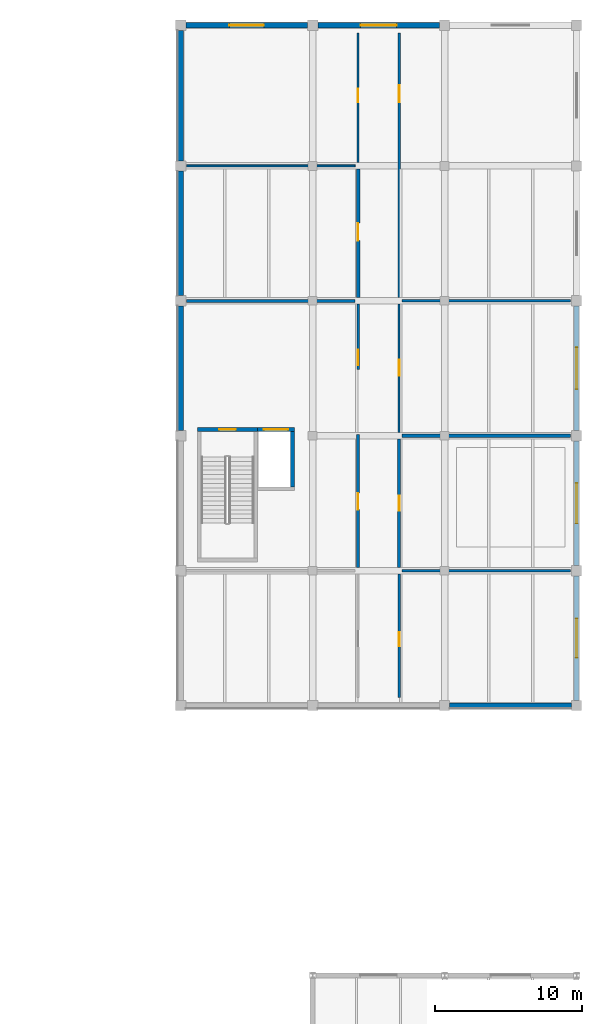
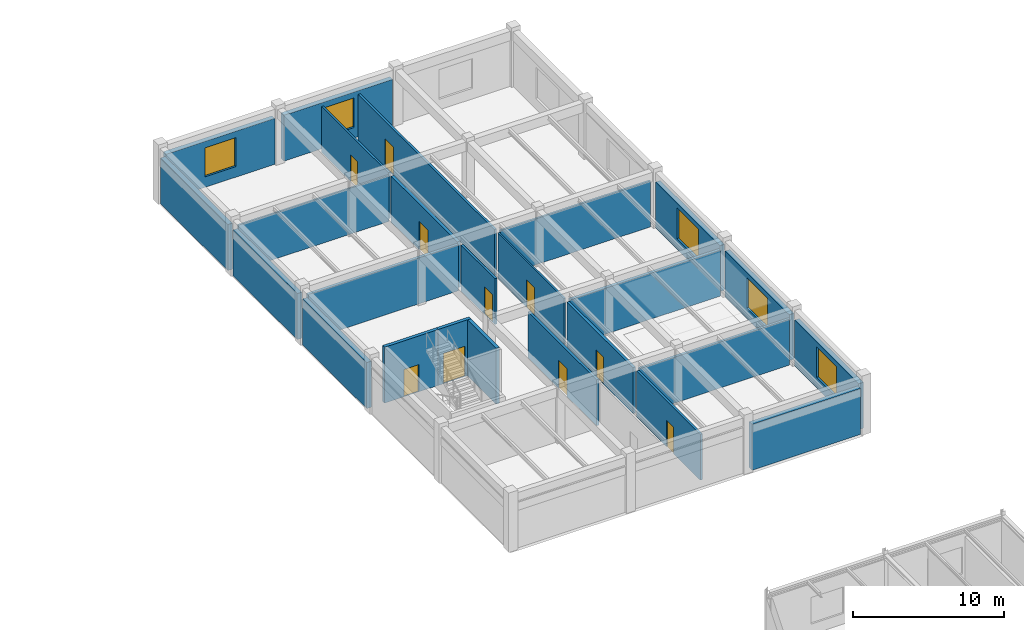
# One storey, part 51 of 61: 25 walls, 10 doors, 5 windows, 15 openings.
"""IFC4 building model written with IfcOpenShell, lengths in metres."""

from ifc_helpers import new_model, si_unit, direction, frame, frame_2d, origin, place, context, subcontext, project, spatial, rectangle, extrude, material, layer, layer_set, type_object, element, fill, save


model = new_model("IFC4")

# Units and contexts
model_context = context("Model", 3, precision=1e-05, world=origin(), true_north=direction((0.0, 1.0)))
body_context = subcontext(model_context, "Body", "Model", "MODEL_VIEW")
ifc_project = project(units=[si_unit("LENGTHUNIT", "METRE"), si_unit("AREAUNIT", "SQUARE_METRE"), si_unit("VOLUMEUNIT", "CUBIC_METRE"), si_unit("PLANEANGLEUNIT", "RADIAN"), si_unit("MASSUNIT", "GRAM", prefix="KILO")], contexts=[model_context])

# Site, building, storey
site_placement = place(None, origin())
site = spatial("IfcSite", under=ifc_project, at=site_placement, CompositionType="ELEMENT")
building_placement = place(site_placement, origin())
building = spatial("IfcBuilding", under=site, at=building_placement, Name="Bozkorgan Art Gallery", CompositionType="ELEMENT")
storey_placement = place(building_placement, frame((0.0, 0.0, 10.199951171875)))
storey = spatial("IfcBuildingStorey", under=building, at=storey_placement, Name="L02", CompositionType="ELEMENT", Elevation=10.199951171875)

# Wall, opening, door
ifc_material_1 = material(Name="Concrete C40/50", Category="concrete")
ifc_layer_1 = layer(ifc_material_1, 0.25, Name="Concrete C40/50")
ifc_layer_set_1 = layer_set([ifc_layer_1], Name="Concrete C40/50")
wall_type_1 = type_object("IfcWallType", Name="IWALL-CW-51", PredefinedType="SHEAR", material=ifc_layer_set_1)
wall_1_placement = place(storey_placement, frame((138.14990234375, 84.824951171875, 0.0), z_axis=(0.0, 0.0, 1.0), x_axis=(1.0, 0.0, 0.0)))
wall_1 = element("IfcWall", 1, at=wall_1_placement, inside=storey, type_object=wall_type_1, Name="CORE3 L02 stair core north shear wall", PredefinedType="SHEAR", context=body_context, shape_type="SweptSolid", body=[
    extrude(rectangle(XDim=4.10009765625, YDim=0.25, at=frame_2d((2.050048828125, 0.0))), origin(), (0.0, 0.0, 1.0), 4.52001953125),
])
opening_1_placement = place(wall_1_placement, frame((2.625, 0.0, 0.0), z_axis=(0.0, 0.0, 1.0), x_axis=(-1.0, 0.0, 0.0)))
opening_1 = element("IfcOpeningElement", 2, at=opening_1_placement, cuts=wall_1, Name="Opening SD-41", PredefinedType="OPENING", context=body_context, shape_type="SweptSolid", body=[
    extrude(rectangle(XDim=1.14990234375, YDim=2.199951171875, at=frame_2d((0.574951171875, 1.10009765625))), frame((0.0, 0.135009765625, 0.0), z_axis=(0.0, -1.0, 0.0), x_axis=(1.0, 0.0, 0.0)), (0.0, 0.0, 1.0), 0.27001953125),
])
ifc_material_2 = material(Name="Steel S355J2", Category="steel")
door_type_1 = type_object("IfcDoorType", Name="IDOOR-SD-41", OperationType="NOTDEFINED", PredefinedType="DOOR", material=ifc_material_2)
door_1_placement = place(opening_1_placement, origin())
door_1 = element("IfcDoor", 3, at=door_1_placement, inside=storey, type_object=door_type_1, Name="ST3 L02 Fire Stair Door", OperationType="SINGLE_SWING_RIGHT", OverallHeight=2.199951171875, OverallWidth=1.14990234375, PredefinedType="DOOR", context=body_context, shape_type="SweptSolid", body=[
    extrude(rectangle(XDim=1.14990234375, YDim=2.199951171875, at=frame_2d((0.574951171875, 1.10009765625))), frame((0.0, 0.02490234375, 0.0), z_axis=(0.0, -1.0, 0.0), x_axis=(1.0, 0.0, 0.0)), (0.0, 0.0, 1.0), 0.050048828125),
])
fill(opening_1, door_1)

wall_2_placement = place(storey_placement, frame((142.25, 84.824951171875, 0.0), z_axis=(0.0, 0.0, 1.0), x_axis=(1.0, 0.0, 0.0)))
wall_2 = element("IfcWall", 4, at=wall_2_placement, inside=storey, type_object=wall_type_1, Name="GL1 L02 shaft front shear wall", PredefinedType="SHEAR", context=body_context, shape_type="SweptSolid", body=[
    extrude(rectangle(XDim=2.5, YDim=0.25, at=frame_2d((1.25, 0.0))), origin(), (0.0, 0.0, 1.0), 4.52001953125),
])
opening_2_placement = place(wall_2_placement, frame((0.425048828125, 0.0, 0.0)))
opening_2 = element("IfcOpeningElement", 5, at=opening_2_placement, cuts=wall_2, Name="Opening LD-87", PredefinedType="OPENING", context=body_context, shape_type="SweptSolid", body=[
    extrude(rectangle(XDim=1.64990234375, YDim=2.449951171875, at=frame_2d((0.824951171875, 1.22509765625))), frame((0.0, 0.135009765625, 0.0), z_axis=(0.0, -1.0, 0.0), x_axis=(1.0, 0.0, 0.0)), (0.0, 0.0, 1.0), 0.27001953125),
])
door_type_2 = type_object("IfcDoorType", Name="IDOOR-LD-87", OperationType="NOTDEFINED", PredefinedType="DOOR", material=ifc_material_2)
door_2_placement = place(opening_2_placement, origin())
door_2 = element("IfcDoor", 6, at=door_2_placement, inside=storey, type_object=door_type_2, Name="LD-GL1-L02 Lift Landing Door", OperationType="SLIDING_TO_LEFT", OverallHeight=2.449951171875, OverallWidth=1.64990234375, PredefinedType="DOOR", context=body_context, shape_type="SweptSolid", body=[
    extrude(rectangle(XDim=1.64990234375, YDim=2.449951171875, at=frame_2d((0.824951171875, 1.22509765625))), frame((0.0, 0.02490234375, 0.0), z_axis=(0.0, -1.0, 0.0), x_axis=(1.0, 0.0, 0.0)), (0.0, 0.0, 1.0), 0.050048828125),
])
fill(opening_2, door_2)

# Wall
wall_3_placement = place(storey_placement, frame((144.625, 80.89990234375, 0.0), z_axis=(0.0, 0.0, 1.0), x_axis=(0.0, 1.0, 0.0)))
element("IfcWall", 7, at=wall_3_placement, inside=storey, type_object=wall_type_1, Name="GL1 L02 shaft E shear wall", PredefinedType="SHEAR", context=body_context, shape_type="SweptSolid", body=[
    extrude(rectangle(XDim=3.800048828125, YDim=0.25, at=frame_2d((1.89990234375, 0.0))), origin(), (0.0, 0.0, 1.0), 4.52001953125),
])

# Wall, opening, door
ifc_material_3 = material(Name="Acoustic Gypsum & Mineral Wool Partition")
ifc_layer_2 = layer(ifc_material_3, 0.22998046875, Name="Acoustic Gypsum & Mineral Wool Partition")
ifc_layer_set_2 = layer_set([ifc_layer_2], Name="Acoustic Gypsum & Mineral Wool Partition")
wall_type_2 = type_object("IfcWallType", Name="IWALL-PR-08", PredefinedType="PARTITIONING", material=ifc_layer_set_2)
wall_4_placement = place(storey_placement, frame((149.10009765625, 93.820068359375, 0.0), z_axis=(0.0, 0.0, 1.0), x_axis=(0.0, 1.0, 0.0)))
wall_4 = element("IfcWall", 8, at=wall_4_placement, inside=storey, type_object=wall_type_2, Name="V5 L02 acoustic partition wall 317", PredefinedType="PARTITIONING", context=body_context, shape_type="SweptSolid", body=[
    extrude(rectangle(XDim=8.760009765625, YDim=0.22998046875, at=frame_2d((4.3798828125, 0.0))), origin(), (0.0, 0.0, 1.0), 3.715087890625),
])
opening_3_placement = place(wall_4_placement, frame((5.079833984375, 0.0, 0.0), z_axis=(0.0, 0.0, 1.0), x_axis=(-1.0, 0.0, 0.0)))
opening_3 = element("IfcOpeningElement", 9, at=opening_3_placement, cuts=wall_4, Name="Opening FD-05", PredefinedType="OPENING", context=body_context, shape_type="SweptSolid", body=[
    extrude(rectangle(XDim=1.199951171875, YDim=2.300048828125, at=frame_2d((0.60009765625, 1.14990234375))), frame((0.0, 0.125, 0.0), z_axis=(0.0, -1.0, 0.0), x_axis=(1.0, 0.0, 0.0)), (0.0, 0.0, 1.0), 0.25),
])
ifc_material_4 = material(Name="Oiled European Oak Joinery")
door_type_3 = type_object("IfcDoorType", Name="IDOOR-FD-05", OperationType="NOTDEFINED", PredefinedType="DOOR", material=ifc_material_4)
door_3_placement = place(opening_3_placement, origin())
door_3 = element("IfcDoor", 10, at=door_3_placement, inside=storey, type_object=door_type_3, Name="Preventive Conservation Lab Door", OperationType="SINGLE_SWING_RIGHT", OverallHeight=2.300048828125, OverallWidth=1.199951171875, PredefinedType="DOOR", context=body_context, shape_type="SweptSolid", body=[
    extrude(rectangle(XDim=1.199951171875, YDim=2.300048828125, at=frame_2d((0.60009765625, 1.14990234375))), frame((0.0, 0.02490234375, 0.0), z_axis=(0.0, -1.0, 0.0), x_axis=(1.0, 0.0, 0.0)), (0.0, 0.0, 1.0), 0.050048828125),
])
fill(opening_3, door_3)

ifc_layer_3 = layer(ifc_material_3, 0.2099609375, Name="Acoustic Gypsum & Mineral Wool Partition")
ifc_layer_set_3 = layer_set([ifc_layer_3], Name="Acoustic Gypsum & Mineral Wool Partition")
wall_type_3 = type_object("IfcWallType", Name="IWALL-PR-38", PredefinedType="PARTITIONING", material=ifc_layer_set_3)
wall_5_placement = place(storey_placement, frame((151.89990234375, 75.419921875, 0.0), z_axis=(0.0, 0.0, 1.0), x_axis=(0.0, 1.0, 0.0)))
wall_5 = element("IfcWall", 11, at=wall_5_placement, inside=storey, type_object=wall_type_3, Name="V5 L02 acoustic partition wall 322", PredefinedType="PARTITIONING", context=body_context, shape_type="SweptSolid", body=[
    extrude(rectangle(XDim=8.760009765625, YDim=0.2099609375, at=frame_2d((4.3798828125, 0.0))), origin(), (0.0, 0.0, 1.0), 3.715087890625),
])
opening_4_placement = place(wall_5_placement, frame((3.8798828125, 0.0, 0.0)))
opening_4 = element("IfcOpeningElement", 12, at=opening_4_placement, cuts=wall_5, Name="Opening FD-60", PredefinedType="OPENING", context=body_context, shape_type="SweptSolid", body=[
    extrude(rectangle(XDim=1.0, YDim=2.199951171875, at=frame_2d((0.5, 1.10009765625))), frame((0.0, 0.114990234375, 0.0), z_axis=(0.0, -1.0, 0.0), x_axis=(1.0, 0.0, 0.0)), (0.0, 0.0, 1.0), 0.22998046875),
])
door_type_4 = type_object("IfcDoorType", Name="IDOOR-FD-60", OperationType="NOTDEFINED", PredefinedType="DOOR", material=ifc_material_4)
door_4_placement = place(opening_4_placement, origin())
door_4 = element("IfcDoor", 13, at=door_4_placement, inside=storey, type_object=door_type_4, Name="Climate Art Store Door", OperationType="SINGLE_SWING_LEFT", OverallHeight=2.199951171875, OverallWidth=1.0, PredefinedType="DOOR", context=body_context, shape_type="SweptSolid", body=[
    extrude(rectangle(XDim=1.0, YDim=2.199951171875, at=frame_2d((0.5, 1.10009765625))), frame((0.0, 0.02490234375, 0.0), z_axis=(0.0, -1.0, 0.0), x_axis=(1.0, 0.0, 0.0)), (0.0, 0.0, 1.0), 0.050048828125),
])
fill(opening_4, door_4)

ifc_layer_4 = layer(ifc_material_3, 0.169921875, Name="Acoustic Gypsum & Mineral Wool Partition")
ifc_layer_set_4 = layer_set([ifc_layer_4], Name="Acoustic Gypsum & Mineral Wool Partition")
wall_type_4 = type_object("IfcWallType", Name="IWALL-PR-40", PredefinedType="PARTITIONING", material=ifc_layer_set_4)
wall_6_placement = place(storey_placement, frame((149.10009765625, 88.89990234375, 0.0), z_axis=(0.0, 0.0, 1.0), x_axis=(0.0, 1.0, 0.0)))
wall_6 = element("IfcWall", 14, at=wall_6_placement, inside=storey, type_object=wall_type_4, Name="V5 L02 acoustic partition wall 314", PredefinedType="PARTITIONING", context=body_context, shape_type="SweptSolid", body=[
    extrude(rectangle(XDim=4.47998046875, YDim=0.169921875, at=frame_2d((2.239990234375, 0.0))), origin(), (0.0, 0.0, 1.0), 3.715087890625),
])
opening_5_placement = place(wall_6_placement, frame((1.380126953125, 0.0, 0.0), z_axis=(0.0, 0.0, 1.0), x_axis=(-1.0, 0.0, 0.0)))
opening_5 = element("IfcOpeningElement", 15, at=opening_5_placement, cuts=wall_6, Name="Opening FD-44", PredefinedType="OPENING", context=body_context, shape_type="SweptSolid", body=[
    extrude(rectangle(XDim=1.080078125, YDim=2.239990234375, at=frame_2d((0.5400390625, 1.1201171875))), frame((0.0, 0.094970703125, 0.0), z_axis=(0.0, -1.0, 0.0), x_axis=(1.0, 0.0, 0.0)), (0.0, 0.0, 1.0), 0.18994140625),
])
door_type_5 = type_object("IfcDoorType", Name="IDOOR-FD-44", OperationType="NOTDEFINED", PredefinedType="DOOR", material=ifc_material_4)
door_5_placement = place(opening_5_placement, origin())
door_5 = element("IfcDoor", 16, at=door_5_placement, inside=storey, type_object=door_type_5, Name="Rolled Tapestry Art Store Door", OperationType="SINGLE_SWING_RIGHT", OverallHeight=2.239990234375, OverallWidth=1.080078125, PredefinedType="DOOR", context=body_context, shape_type="SweptSolid", body=[
    extrude(rectangle(XDim=1.080078125, YDim=2.239990234375, at=frame_2d((0.5400390625, 1.1201171875))), frame((0.0, 0.02490234375, 0.0), z_axis=(0.0, -1.0, 0.0), x_axis=(1.0, 0.0, 0.0)), (0.0, 0.0, 1.0), 0.050048828125),
])
fill(opening_5, door_5)

wall_7_placement = place(storey_placement, frame((151.89990234375, 66.5400390625, 0.0), z_axis=(0.0, 0.0, 1.0), x_axis=(0.0, 1.0, 0.0)))
wall_7 = element("IfcWall", 17, at=wall_7_placement, inside=storey, type_object=wall_type_4, Name="V5 L02 acoustic partition wall 320", PredefinedType="PARTITIONING", context=body_context, shape_type="SweptSolid", body=[
    extrude(rectangle(XDim=8.43994140625, YDim=0.169921875, at=frame_2d((4.219970703125, 0.0))), origin(), (0.0, 0.0, 1.0), 3.715087890625),
])
opening_6_placement = place(wall_7_placement, frame((3.518798828125, 0.0, 0.0)))
opening_6 = element("IfcOpeningElement", 18, at=opening_6_placement, cuts=wall_7, Name="Opening FD-92", PredefinedType="OPENING", context=body_context, shape_type="SweptSolid", body=[
    extrude(rectangle(XDim=0.949951171875, YDim=2.14990234375, at=frame_2d((0.47509765625, 1.074951171875))), frame((0.0, 0.094970703125, 0.0), z_axis=(0.0, -1.0, 0.0), x_axis=(1.0, 0.0, 0.0)), (0.0, 0.0, 1.0), 0.18994140625),
])
door_type_6 = type_object("IfcDoorType", Name="IDOOR-FD-92", OperationType="NOTDEFINED", PredefinedType="DOOR", material=ifc_material_4)
door_6_placement = place(opening_6_placement, origin())
door_6 = element("IfcDoor", 19, at=door_6_placement, inside=storey, type_object=door_type_6, Name="Collection Archive Room Door", OperationType="SINGLE_SWING_RIGHT", OverallHeight=2.14990234375, OverallWidth=0.949951171875, PredefinedType="DOOR", context=body_context, shape_type="SweptSolid", body=[
    extrude(rectangle(XDim=0.949951171875, YDim=2.14990234375, at=frame_2d((0.47509765625, 1.074951171875))), frame((0.0, 0.02490234375, 0.0), z_axis=(0.0, -1.0, 0.0), x_axis=(1.0, 0.0, 0.0)), (0.0, 0.0, 1.0), 0.050048828125),
])
fill(opening_6, door_6)

wall_8_placement = place(storey_placement, frame((151.89990234375, 93.820068359375, 0.0), z_axis=(0.0, 0.0, 1.0), x_axis=(0.0, 1.0, 0.0)))
wall_8 = element("IfcWall", 20, at=wall_8_placement, inside=storey, type_object=wall_type_4, Name="V5 L02 acoustic partition wall 326", PredefinedType="PARTITIONING", context=body_context, shape_type="SweptSolid", body=[
    extrude(rectangle(XDim=18.0400390625, YDim=0.169921875, at=frame_2d((9.02001953125, 0.0))), origin(), (0.0, 0.0, 1.0), 3.715087890625),
])
opening_7_placement = place(wall_8_placement, frame((13.331787109375, 0.0, 0.0)))
opening_7 = element("IfcOpeningElement", 21, at=opening_7_placement, cuts=wall_8, Name="Opening FD-03", PredefinedType="OPENING", context=body_context, shape_type="SweptSolid", body=[
    extrude(rectangle(XDim=1.159912109375, YDim=2.280029296875, at=frame_2d((0.580078125, 1.14013671875))), frame((0.0, 0.094970703125, 0.0), z_axis=(0.0, -1.0, 0.0), x_axis=(1.0, 0.0, 0.0)), (0.0, 0.0, 1.0), 0.18994140625),
])
door_type_7 = type_object("IfcDoorType", Name="IDOOR-FD-03", OperationType="NOTDEFINED", PredefinedType="DOOR", material=ifc_material_4)
door_7_placement = place(opening_7_placement, origin())
door_7 = element("IfcDoor", 22, at=door_7_placement, inside=storey, type_object=door_type_7, Name="Gilded Frame Conservation Studio Door", OperationType="SINGLE_SWING_LEFT", OverallHeight=2.280029296875, OverallWidth=1.159912109375, PredefinedType="DOOR", context=body_context, shape_type="SweptSolid", body=[
    extrude(rectangle(XDim=1.159912109375, YDim=2.280029296875, at=frame_2d((0.580078125, 1.14013671875))), frame((0.0, 0.02490234375, 0.0), z_axis=(0.0, -1.0, 0.0), x_axis=(1.0, 0.0, 0.0)), (0.0, 0.0, 1.0), 0.050048828125),
])
fill(opening_7, door_7)

ifc_layer_5 = layer(ifc_material_3, 0.14990234375, Name="Acoustic Gypsum & Mineral Wool Partition")
ifc_layer_set_5 = layer_set([ifc_layer_5], Name="Acoustic Gypsum & Mineral Wool Partition")
wall_type_5 = type_object("IfcWallType", Name="IWALL-PR-55", PredefinedType="PARTITIONING", material=ifc_layer_set_5)
wall_9_placement = place(storey_placement, frame((149.10009765625, 103.02001953125, 0.0), z_axis=(0.0, 0.0, 1.0), x_axis=(0.0, 1.0, 0.0)))
wall_9 = element("IfcWall", 23, at=wall_9_placement, inside=storey, type_object=wall_type_5, Name="V5 L02 acoustic partition wall 319", PredefinedType="PARTITIONING", context=body_context, shape_type="SweptSolid", body=[
    extrude(rectangle(XDim=8.840087890625, YDim=0.14990234375, at=frame_2d((4.419921875, 0.0))), origin(), (0.0, 0.0, 1.0), 3.715087890625),
])
opening_8_placement = place(wall_9_placement, frame((5.041015625, 0.0, 0.0), z_axis=(0.0, 0.0, 1.0), x_axis=(-1.0, 0.0, 0.0)))
opening_8 = element("IfcOpeningElement", 24, at=opening_8_placement, cuts=wall_9, Name="Opening FD-12", PredefinedType="OPENING", context=body_context, shape_type="SweptSolid", body=[
    extrude(rectangle(XDim=0.919921875, YDim=2.1201171875, at=frame_2d((0.4599609375, 1.06005859375))), frame((0.0, 0.0849609375, 0.0), z_axis=(0.0, -1.0, 0.0), x_axis=(1.0, 0.0, 0.0)), (0.0, 0.0, 1.0), 0.169921875),
])
door_type_8 = type_object("IfcDoorType", Name="IDOOR-FD-12", OperationType="NOTDEFINED", PredefinedType="DOOR", material=ifc_material_4)
door_8_placement = place(opening_8_placement, origin())
door_8 = element("IfcDoor", 25, at=door_8_placement, inside=storey, type_object=door_type_8, Name="Collection Server Room Door", OperationType="SINGLE_SWING_LEFT", OverallHeight=2.1201171875, OverallWidth=0.919921875, PredefinedType="DOOR", context=body_context, shape_type="SweptSolid", body=[
    extrude(rectangle(XDim=0.919921875, YDim=2.1201171875, at=frame_2d((0.4599609375, 1.06005859375))), frame((0.0, 0.02490234375, 0.0), z_axis=(0.0, -1.0, 0.0), x_axis=(1.0, 0.0, 0.0)), (0.0, 0.0, 1.0), 0.050048828125),
])
fill(opening_8, door_8)

ifc_layer_6 = layer(ifc_material_3, 0.18994140625, Name="Acoustic Gypsum & Mineral Wool Partition")
ifc_layer_set_6 = layer_set([ifc_layer_6], Name="Acoustic Gypsum & Mineral Wool Partition")
wall_type_6 = type_object("IfcWallType", Name="IWALL-PR-66", PredefinedType="PARTITIONING", material=ifc_layer_set_6)
wall_10_placement = place(storey_placement, frame((149.10009765625, 75.419921875, 0.0), z_axis=(0.0, 0.0, 1.0), x_axis=(0.0, 1.0, 0.0)))
wall_10 = element("IfcWall", 26, at=wall_10_placement, inside=storey, type_object=wall_type_6, Name="V5 L02 acoustic partition wall 315", PredefinedType="PARTITIONING", context=body_context, shape_type="SweptSolid", body=[
    extrude(rectangle(XDim=9.080078125, YDim=0.18994140625, at=frame_2d((4.5400390625, 0.0))), origin(), (0.0, 0.0, 1.0), 3.715087890625),
])
opening_9_placement = place(wall_10_placement, frame((5.05908203125, 0.0, 0.0), z_axis=(0.0, 0.0, 1.0), x_axis=(-1.0, 0.0, 0.0)))
opening_9 = element("IfcOpeningElement", 27, at=opening_9_placement, cuts=wall_10, Name="Opening FD-89", PredefinedType="OPENING", context=body_context, shape_type="SweptSolid", body=[
    extrude(rectangle(XDim=1.1201171875, YDim=2.260009765625, at=frame_2d((0.56005859375, 1.1298828125))), frame((0.0, 0.10498046875, 0.0), z_axis=(0.0, -1.0, 0.0), x_axis=(1.0, 0.0, 0.0)), (0.0, 0.0, 1.0), 0.2099609375),
])
door_type_9 = type_object("IfcDoorType", Name="IDOOR-FD-89", OperationType="NOTDEFINED", PredefinedType="DOOR", material=ifc_material_4)
door_9_placement = place(opening_9_placement, origin())
door_9 = element("IfcDoor", 28, at=door_9_placement, inside=storey, type_object=door_type_9, Name="Gilded Frame Conservation Studio Door", OperationType="SINGLE_SWING_LEFT", OverallHeight=2.260009765625, OverallWidth=1.1201171875, PredefinedType="DOOR", context=body_context, shape_type="SweptSolid", body=[
    extrude(rectangle(XDim=1.1201171875, YDim=2.260009765625, at=frame_2d((0.56005859375, 1.1298828125))), frame((0.0, 0.02490234375, 0.0), z_axis=(0.0, -1.0, 0.0), x_axis=(1.0, 0.0, 0.0)), (0.0, 0.0, 1.0), 0.050048828125),
])
fill(opening_9, door_9)

ifc_layer_7 = layer(ifc_material_3, 0.1298828125, Name="Acoustic Gypsum & Mineral Wool Partition")
ifc_layer_set_7 = layer_set([ifc_layer_7], Name="Acoustic Gypsum & Mineral Wool Partition")
wall_type_7 = type_object("IfcWallType", Name="IWALL-PR-76", PredefinedType="PARTITIONING", material=ifc_layer_set_7)
wall_11_placement = place(storey_placement, frame((151.89990234375, 84.6201171875, 0.0), z_axis=(0.0, 0.0, 1.0), x_axis=(0.0, 1.0, 0.0)))
wall_11 = element("IfcWall", 29, at=wall_11_placement, inside=storey, type_object=wall_type_7, Name="V5 L02 acoustic partition wall 324", PredefinedType="PARTITIONING", context=body_context, shape_type="SweptSolid", body=[
    extrude(rectangle(XDim=8.759765625, YDim=0.1298828125, at=frame_2d((4.3798828125, 0.0))), origin(), (0.0, 0.0, 1.0), 3.715087890625),
])
opening_10_placement = place(wall_11_placement, frame((3.8798828125, 0.0, 0.0)))
opening_10 = element("IfcOpeningElement", 30, at=opening_10_placement, cuts=wall_11, Name="Opening FD-44", PredefinedType="OPENING", context=body_context, shape_type="SweptSolid", body=[
    extrude(rectangle(XDim=1.080078125, YDim=2.239990234375, at=frame_2d((0.5400390625, 1.1201171875))), frame((0.0, 0.074951171875, 0.0), z_axis=(0.0, -1.0, 0.0), x_axis=(1.0, 0.0, 0.0)), (0.0, 0.0, 1.0), 0.14990234375),
])
door_10_placement = place(opening_10_placement, origin())
door_10 = element("IfcDoor", 31, at=door_10_placement, inside=storey, type_object=door_type_5, Name="Rolled Tapestry Art Store Door", OperationType="SINGLE_SWING_RIGHT", OverallHeight=2.239990234375, OverallWidth=1.080078125, PredefinedType="DOOR", context=body_context, shape_type="SweptSolid", body=[
    extrude(rectangle(XDim=1.080078125, YDim=2.239990234375, at=frame_2d((0.5400390625, 1.1201171875))), frame((0.0, 0.02490234375, 0.0), z_axis=(0.0, -1.0, 0.0), x_axis=(1.0, 0.0, 0.0)), (0.0, 0.0, 1.0), 0.050048828125),
])
fill(opening_10, door_10)

# Walls
ifc_layer_8 = layer(ifc_material_3, 0.14990234375, Name="Acoustic Gypsum & Mineral Wool Partition")
ifc_layer_set_8 = layer_set([ifc_layer_8], Name="Acoustic Gypsum & Mineral Wool Partition")
wall_type_8 = type_object("IfcWallType", Name="IWALL-PW-17", PredefinedType="PARTITIONING", material=ifc_layer_set_8)
wall_12_placement = place(storey_placement, frame((152.10009765625, 93.60009765625, 0.0), z_axis=(0.0, 0.0, 1.0), x_axis=(1.0, 0.0, 0.0)))
element("IfcWall", 32, at=wall_12_placement, inside=storey, type_object=wall_type_8, Name="V5 L02 acoustic partition wall 325", PredefinedType="PARTITIONING", context=body_context, shape_type="SweptSolid", body=[
    extrude(rectangle(XDim=11.5, YDim=0.14990234375, at=frame_2d((5.75, 0.0))), origin(), (0.0, 0.0, 1.0), 3.715087890625),
])
ifc_layer_9 = layer(ifc_material_3, 0.18994140625, Name="Acoustic Gypsum & Mineral Wool Partition")
ifc_layer_set_9 = layer_set([ifc_layer_9], Name="Acoustic Gypsum & Mineral Wool Partition")
wall_type_9 = type_object("IfcWallType", Name="IWALL-PW-23", PredefinedType="PARTITIONING", material=ifc_layer_set_9)
wall_13_placement = place(storey_placement, frame((152.10009765625, 75.199951171875, 0.0), z_axis=(0.0, 0.0, 1.0), x_axis=(1.0, 0.0, 0.0)))
element("IfcWall", 33, at=wall_13_placement, inside=storey, type_object=wall_type_9, Name="V5 L02 acoustic partition wall 321", PredefinedType="PARTITIONING", context=body_context, shape_type="SweptSolid", body=[
    extrude(rectangle(XDim=11.5, YDim=0.18994140625, at=frame_2d((5.75, 0.0))), origin(), (0.0, 0.0, 1.0), 3.715087890625),
])
ifc_layer_10 = layer(ifc_material_3, 0.2099609375, Name="Acoustic Gypsum & Mineral Wool Partition")
ifc_layer_set_10 = layer_set([ifc_layer_10], Name="Acoustic Gypsum & Mineral Wool Partition")
wall_type_10 = type_object("IfcWallType", Name="IWALL-PW-72", PredefinedType="PARTITIONING", material=ifc_layer_set_10)
wall_14_placement = place(storey_placement, frame((137.39990234375, 93.60009765625, 0.0), z_axis=(0.0, 0.0, 1.0), x_axis=(1.0, 0.0, 0.0)))
element("IfcWall", 34, at=wall_14_placement, inside=storey, type_object=wall_type_10, Name="V5 L02 acoustic partition wall 316", PredefinedType="PARTITIONING", context=body_context, shape_type="SweptSolid", body=[
    extrude(rectangle(XDim=11.5, YDim=0.2099609375, at=frame_2d((5.75, 0.0))), origin(), (0.0, 0.0, 1.0), 3.715087890625),
])
ifc_layer_11 = layer(ifc_material_3, 0.22998046875, Name="Acoustic Gypsum & Mineral Wool Partition")
ifc_layer_set_11 = layer_set([ifc_layer_11], Name="Acoustic Gypsum & Mineral Wool Partition")
wall_type_11 = type_object("IfcWallType", Name="IWALL-PW-96", PredefinedType="PARTITIONING", material=ifc_layer_set_11)
wall_15_placement = place(storey_placement, frame((152.10009765625, 84.39990234375, 0.0), z_axis=(0.0, 0.0, 1.0), x_axis=(1.0, 0.0, 0.0)))
element("IfcWall", 35, at=wall_15_placement, inside=storey, type_object=wall_type_11, Name="V5 L02 acoustic partition wall 323", PredefinedType="PARTITIONING", context=body_context, shape_type="SweptSolid", body=[
    extrude(rectangle(XDim=11.5, YDim=0.22998046875, at=frame_2d((5.75, 0.0))), origin(), (0.0, 0.0, 1.0), 3.715087890625),
])
ifc_layer_12 = layer(ifc_material_3, 0.1298828125, Name="Acoustic Gypsum & Mineral Wool Partition")
ifc_layer_set_12 = layer_set([ifc_layer_12], Name="Acoustic Gypsum & Mineral Wool Partition")
wall_type_12 = type_object("IfcWallType", Name="IWALL-PW-97", PredefinedType="PARTITIONING", material=ifc_layer_set_12)
wall_16_placement = place(storey_placement, frame((137.39990234375, 102.800048828125, 0.0), z_axis=(0.0, 0.0, 1.0), x_axis=(1.0, 0.0, 0.0)))
element("IfcWall", 36, at=wall_16_placement, inside=storey, type_object=wall_type_12, Name="V5 L02 acoustic partition wall 318", PredefinedType="PARTITIONING", context=body_context, shape_type="SweptSolid", body=[
    extrude(rectangle(XDim=11.5, YDim=0.1298828125, at=frame_2d((5.75, 0.0))), origin(), (0.0, 0.0, 1.0), 3.715087890625),
])

# Wall, opening, window
ifc_material_5 = material(Name="Pressed Terracotta Brick Masonry", Category="masonry")
ifc_layer_13 = layer(ifc_material_5, 0.360107421875, Name="Pressed Terracotta Brick Masonry")
ifc_layer_set_13 = layer_set([ifc_layer_13], Name="Pressed Terracotta Brick Masonry")
wall_type_13 = type_object("IfcWallType", Name="WALL-WB-99", PredefinedType="STANDARD", material=ifc_layer_set_13)
wall_17_placement = place(storey_placement, frame((137.35009765625, 112.39990234375, 0.0), z_axis=(0.0, 0.0, 1.0), x_axis=(1.0, 0.0, 0.0)))
wall_17 = element("IfcWall", 37, at=wall_17_placement, inside=storey, type_object=wall_type_13, Name="V5 L02 exterior facade wall 1N-2", PredefinedType="STANDARD", context=body_context, shape_type="SweptSolid", body=[
    extrude(rectangle(XDim=8.2998046875, YDim=0.360107421875, at=frame_2d((4.14990234375, 0.0))), origin(), (0.0, 0.0, 1.0), 3.715087890625),
])
opening_11_placement = place(wall_17_placement, frame((2.97509765625, 0.0, 0.85009765625)))
opening_11 = element("IfcOpeningElement", 38, at=opening_11_placement, cuts=wall_17, Name="Opening WN-47", PredefinedType="OPENING", context=body_context, shape_type="SweptSolid", body=[
    extrude(rectangle(XDim=2.35009765625, YDim=2.35009765625, at=frame_2d((1.175048828125, 1.175048828125))), frame((0.0, 0.18994140625, 0.0), z_axis=(0.0, -1.0, 0.0), x_axis=(1.0, 0.0, 0.0)), (0.0, 0.0, 1.0), 0.380126953125),
])
ifc_material_6 = material(Name="Triple Low-E Laminated Glass", Category="glass")
window_type_1 = type_object("IfcWindowType", Name="WIN-WN-47", PartitioningType="SINGLE_PANEL", PredefinedType="WINDOW", material=ifc_material_6)
window_1_placement = place(opening_11_placement, origin())
window_1 = element("IfcWindow", 39, at=window_1_placement, inside=storey, type_object=window_type_1, Name="V5 L02 gallery window 1N-2", OverallHeight=2.35009765625, OverallWidth=2.35009765625, PartitioningType="SINGLE_PANEL", PredefinedType="WINDOW", context=body_context, shape_type="SweptSolid", body=[
    extrude(rectangle(XDim=2.35009765625, YDim=2.35009765625, at=frame_2d((1.175048828125, 1.175048828125))), frame((0.0, 0.030029296875, 0.0), z_axis=(0.0, -1.0, 0.0), x_axis=(1.0, 0.0, 0.0)), (0.0, 0.0, 1.0), 0.06005859375),
])
fill(opening_11, window_1)

wall_18_placement = place(storey_placement, frame((146.35009765625, 112.39990234375, 0.0), z_axis=(0.0, 0.0, 1.0), x_axis=(1.0, 0.0, 0.0)))
wall_18 = element("IfcWall", 40, at=wall_18_placement, inside=storey, type_object=wall_type_13, Name="V5 L02 exterior facade wall 1N-4", PredefinedType="STANDARD", context=body_context, shape_type="SweptSolid", body=[
    extrude(rectangle(XDim=8.2998046875, YDim=0.360107421875, at=frame_2d((4.14990234375, 0.0))), origin(), (0.0, 0.0, 1.0), 3.715087890625),
])
opening_12_placement = place(wall_18_placement, frame((2.925048828125, 0.0, 0.85009765625)))
opening_12 = element("IfcOpeningElement", 41, at=opening_12_placement, cuts=wall_18, Name="Opening WN-83", PredefinedType="OPENING", context=body_context, shape_type="SweptSolid", body=[
    extrude(rectangle(XDim=2.449951171875, YDim=2.39990234375, at=frame_2d((1.22509765625, 1.199951171875))), frame((0.0, 0.18994140625, 0.0), z_axis=(0.0, -1.0, 0.0), x_axis=(1.0, 0.0, 0.0)), (0.0, 0.0, 1.0), 0.380126953125),
])
window_type_2 = type_object("IfcWindowType", Name="WIN-WN-83", PartitioningType="SINGLE_PANEL", PredefinedType="WINDOW", material=ifc_material_6)
window_2_placement = place(opening_12_placement, origin())
window_2 = element("IfcWindow", 42, at=window_2_placement, inside=storey, type_object=window_type_2, Name="V5 L02 gallery window 1N-4", OverallHeight=2.39990234375, OverallWidth=2.449951171875, PartitioningType="SINGLE_PANEL", PredefinedType="WINDOW", context=body_context, shape_type="SweptSolid", body=[
    extrude(rectangle(XDim=2.449951171875, YDim=2.39990234375, at=frame_2d((1.22509765625, 1.199951171875))), frame((0.0, 0.030029296875, 0.0), z_axis=(0.0, -1.0, 0.0), x_axis=(1.0, 0.0, 0.0)), (0.0, 0.0, 1.0), 0.06005859375),
])
fill(opening_12, window_2)

# Wall
wall_19_placement = place(storey_placement, frame((155.35009765625, 66.0, 0.0), z_axis=(0.0, 0.0, 1.0), x_axis=(1.0, 0.0, 0.0)))
element("IfcWall", 43, at=wall_19_placement, inside=storey, type_object=wall_type_13, Name="V5 L02 exterior facade wall 1S-5", PredefinedType="STANDARD", context=body_context, shape_type="SweptSolid", body=[
    extrude(rectangle(XDim=8.2998046875, YDim=0.360107421875, at=frame_2d((4.14990234375, 0.0))), origin(), (0.0, 0.0, 1.0), 3.715087890625),
])

# Wall, opening, window
wall_20_placement = place(storey_placement, frame((164.0, 66.35009765625, 0.0), z_axis=(0.0, 0.0, 1.0), x_axis=(0.0, 1.0, 0.0)))
wall_20 = element("IfcWall", 44, at=wall_20_placement, inside=storey, type_object=wall_type_13, Name="V5 L02 exterior facade wall 1E-8", PredefinedType="STANDARD", context=body_context, shape_type="SweptSolid", body=[
    extrude(rectangle(XDim=8.5, YDim=0.360107421875, at=frame_2d((4.25, 0.0))), origin(), (0.0, 0.0, 1.0), 3.715087890625),
])
opening_13_placement = place(wall_20_placement, frame((5.574951171875, 0.0, 0.85009765625), z_axis=(0.0, 0.0, 1.0), x_axis=(-1.0, 0.0, 0.0)))
opening_13 = element("IfcOpeningElement", 45, at=opening_13_placement, cuts=wall_20, Name="Opening WN-80", PredefinedType="OPENING", context=body_context, shape_type="SweptSolid", body=[
    extrude(rectangle(XDim=2.64990234375, YDim=2.449951171875, at=frame_2d((1.324951171875, 1.22509765625))), frame((0.0, 0.18994140625, 0.0), z_axis=(0.0, -1.0, 0.0), x_axis=(1.0, 0.0, 0.0)), (0.0, 0.0, 1.0), 0.380126953125),
])
window_type_3 = type_object("IfcWindowType", Name="WIN-WN-80", PartitioningType="SINGLE_PANEL", PredefinedType="WINDOW", material=ifc_material_6)
window_3_placement = place(opening_13_placement, origin())
window_3 = element("IfcWindow", 46, at=window_3_placement, inside=storey, type_object=window_type_3, Name="V5 L02 gallery window 1E-8", OverallHeight=2.449951171875, OverallWidth=2.64990234375, PartitioningType="SINGLE_PANEL", PredefinedType="WINDOW", context=body_context, shape_type="SweptSolid", body=[
    extrude(rectangle(XDim=2.64990234375, YDim=2.449951171875, at=frame_2d((1.324951171875, 1.22509765625))), frame((0.0, 0.030029296875, 0.0), z_axis=(0.0, -1.0, 0.0), x_axis=(1.0, 0.0, 0.0)), (0.0, 0.0, 1.0), 0.06005859375),
])
fill(opening_13, window_3)

wall_21_placement = place(storey_placement, frame((164.0, 75.550048828125, 0.0), z_axis=(0.0, 0.0, 1.0), x_axis=(0.0, 1.0, 0.0)))
wall_21 = element("IfcWall", 47, at=wall_21_placement, inside=storey, type_object=wall_type_13, Name="V5 L02 exterior facade wall 1E-10", PredefinedType="STANDARD", context=body_context, shape_type="SweptSolid", body=[
    extrude(rectangle(XDim=8.5, YDim=0.360107421875, at=frame_2d((4.25, 0.0))), origin(), (0.0, 0.0, 1.0), 3.715087890625),
])
opening_14_placement = place(wall_21_placement, frame((5.625, 0.0, 0.85009765625), z_axis=(0.0, 0.0, 1.0), x_axis=(-1.0, 0.0, 0.0)))
opening_14 = element("IfcOpeningElement", 48, at=opening_14_placement, cuts=wall_21, Name="Opening WN-02", PredefinedType="OPENING", context=body_context, shape_type="SweptSolid", body=[
    extrude(rectangle(XDim=2.75, YDim=2.449951171875, at=frame_2d((1.375, 1.22509765625))), frame((0.0, 0.18994140625, 0.0), z_axis=(0.0, -1.0, 0.0), x_axis=(1.0, 0.0, 0.0)), (0.0, 0.0, 1.0), 0.380126953125),
])
window_type_4 = type_object("IfcWindowType", Name="WIN-WN-02", PartitioningType="SINGLE_PANEL", PredefinedType="WINDOW", material=ifc_material_6)
window_4_placement = place(opening_14_placement, origin())
window_4 = element("IfcWindow", 49, at=window_4_placement, inside=storey, type_object=window_type_4, Name="V5 L02 gallery window 1E-10", OverallHeight=2.449951171875, OverallWidth=2.75, PartitioningType="SINGLE_PANEL", PredefinedType="WINDOW", context=body_context, shape_type="SweptSolid", body=[
    extrude(rectangle(XDim=2.75, YDim=2.449951171875, at=frame_2d((1.375, 1.22509765625))), frame((0.0, 0.030029296875, 0.0), z_axis=(0.0, -1.0, 0.0), x_axis=(1.0, 0.0, 0.0)), (0.0, 0.0, 1.0), 0.06005859375),
])
fill(opening_14, window_4)

# Wall
wall_22_placement = place(storey_placement, frame((137.0, 84.75, 0.0), z_axis=(0.0, 0.0, 1.0), x_axis=(0.0, 1.0, 0.0)))
element("IfcWall", 50, at=wall_22_placement, inside=storey, type_object=wall_type_13, Name="V5 L02 exterior facade wall 1W-11", PredefinedType="STANDARD", context=body_context, shape_type="SweptSolid", body=[
    extrude(rectangle(XDim=8.5, YDim=0.360107421875, at=frame_2d((4.25, 0.0))), origin(), (0.0, 0.0, 1.0), 3.715087890625),
])

# Wall, opening, window
wall_23_placement = place(storey_placement, frame((164.0, 84.75, 0.0), z_axis=(0.0, 0.0, 1.0), x_axis=(0.0, 1.0, 0.0)))
wall_23 = element("IfcWall", 51, at=wall_23_placement, inside=storey, type_object=wall_type_13, Name="V5 L02 exterior facade wall 1E-12", PredefinedType="STANDARD", context=body_context, shape_type="SweptSolid", body=[
    extrude(rectangle(XDim=8.5, YDim=0.360107421875, at=frame_2d((4.25, 0.0))), origin(), (0.0, 0.0, 1.0), 3.715087890625),
])
opening_15_placement = place(wall_23_placement, frame((5.675048828125, 0.0, 0.85009765625), z_axis=(0.0, 0.0, 1.0), x_axis=(-1.0, 0.0, 0.0)))
opening_15 = element("IfcOpeningElement", 52, at=opening_15_placement, cuts=wall_23, Name="Opening WN-82", PredefinedType="OPENING", context=body_context, shape_type="SweptSolid", body=[
    extrude(rectangle(XDim=2.85009765625, YDim=2.5, at=frame_2d((1.425048828125, 1.25))), frame((0.0, 0.18994140625, 0.0), z_axis=(0.0, -1.0, 0.0), x_axis=(1.0, 0.0, 0.0)), (0.0, 0.0, 1.0), 0.380126953125),
])
window_type_5 = type_object("IfcWindowType", Name="WIN-WN-82", PartitioningType="SINGLE_PANEL", PredefinedType="WINDOW", material=ifc_material_6)
window_5_placement = place(opening_15_placement, origin())
window_5 = element("IfcWindow", 53, at=window_5_placement, inside=storey, type_object=window_type_5, Name="V5 L02 gallery window 1E-12", OverallHeight=2.5, OverallWidth=2.85009765625, PartitioningType="SINGLE_PANEL", PredefinedType="WINDOW", context=body_context, shape_type="SweptSolid", body=[
    extrude(rectangle(XDim=2.85009765625, YDim=2.5, at=frame_2d((1.425048828125, 1.25))), frame((0.0, 0.030029296875, 0.0), z_axis=(0.0, -1.0, 0.0), x_axis=(1.0, 0.0, 0.0)), (0.0, 0.0, 1.0), 0.06005859375),
])
fill(opening_15, window_5)

# Walls
wall_24_placement = place(storey_placement, frame((137.0, 93.949951171875, 0.0), z_axis=(0.0, 0.0, 1.0), x_axis=(0.0, 1.0, 0.0)))
element("IfcWall", 54, at=wall_24_placement, inside=storey, type_object=wall_type_13, Name="V5 L02 exterior facade wall 1W-13", PredefinedType="STANDARD", context=body_context, shape_type="SweptSolid", body=[
    extrude(rectangle(XDim=8.5, YDim=0.360107421875, at=frame_2d((4.25, 0.0))), origin(), (0.0, 0.0, 1.0), 3.715087890625),
])
wall_25_placement = place(storey_placement, frame((137.0, 103.14990234375, 0.0), z_axis=(0.0, 0.0, 1.0), x_axis=(0.0, 1.0, 0.0)))
element("IfcWall", 55, at=wall_25_placement, inside=storey, type_object=wall_type_13, Name="V5 L02 exterior facade wall 1W-15", PredefinedType="STANDARD", context=body_context, shape_type="SweptSolid", body=[
    extrude(rectangle(XDim=8.900146484375, YDim=0.360107421875, at=frame_2d((4.4501953125, 0.0))), origin(), (0.0, 0.0, 1.0), 3.715087890625),
])

save(model, "model.ifc")
